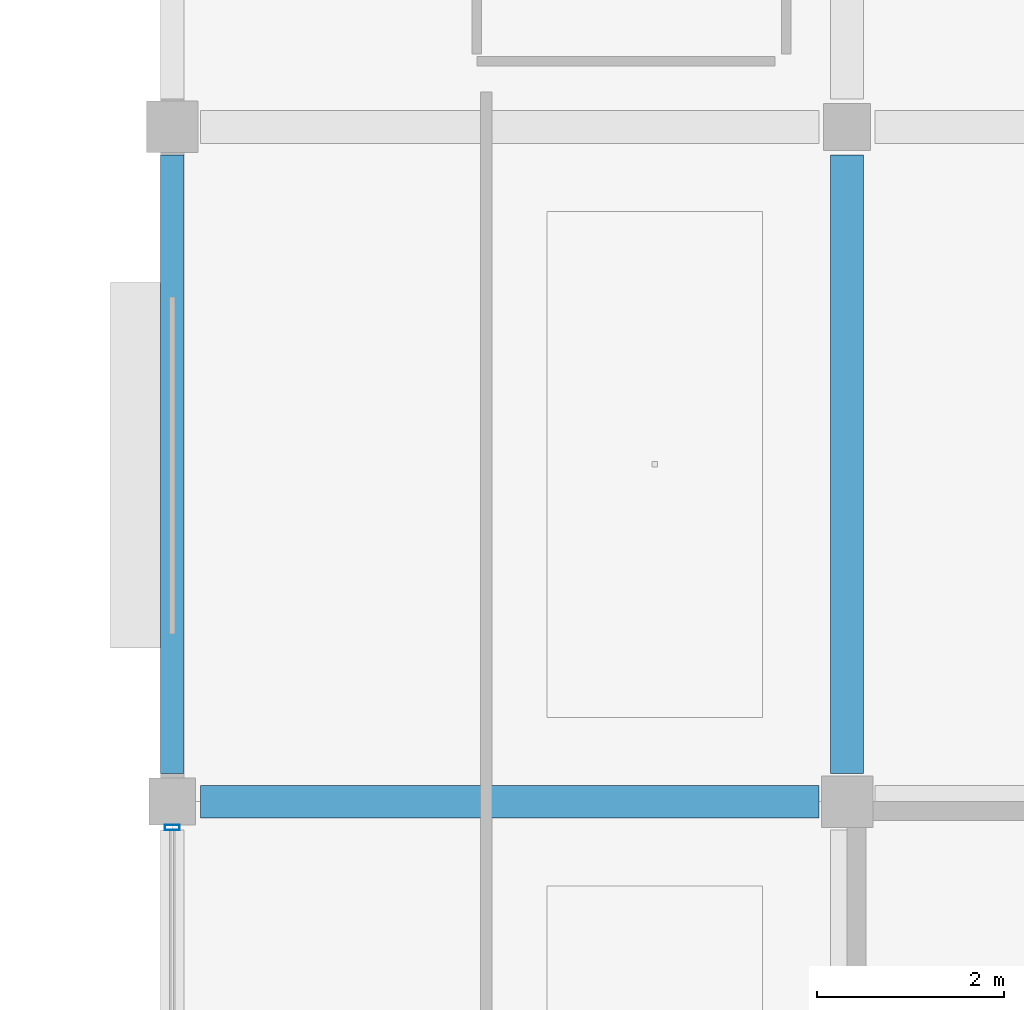
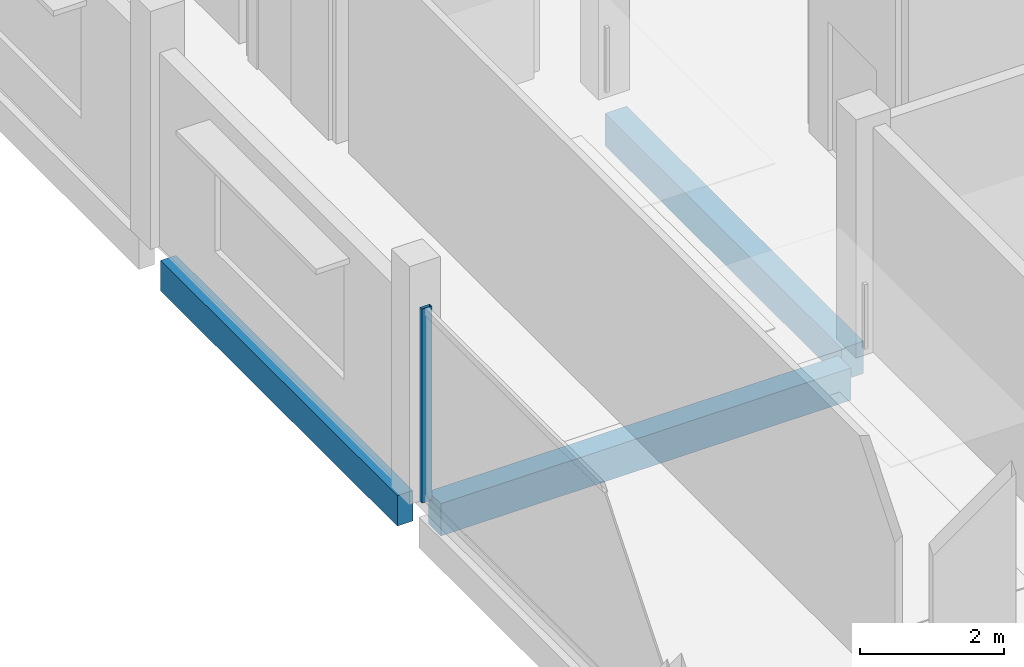
# One storey, part 8 of 26: 3 beams, 1 member, 1 element without a shape of its own.
"""IFC4 building model written with IfcOpenShell, lengths in metres."""

from ifc_helpers import new_model, si_unit, direction, frame, origin, origin_2d, place, context, subcontext, project, spatial, rectangle, hollow_rectangle, extrude, material, layer, layer_set, material_profile, profile_set, type_object, element, aggregate, save


model = new_model("IFC4")

# Units and contexts
model_context = context("Model", 3, precision=1e-05, world=origin(), true_north=direction((0.0, 1.0)))
body_context = subcontext(model_context, "Body", "Model", "MODEL_VIEW")
ifc_project = project(units=[si_unit("LENGTHUNIT", "METRE"), si_unit("AREAUNIT", "SQUARE_METRE"), si_unit("VOLUMEUNIT", "CUBIC_METRE"), si_unit("PLANEANGLEUNIT", "RADIAN"), si_unit("MASSUNIT", "GRAM", prefix="KILO")], contexts=[model_context])

# Site, building, storey
site_placement = place(None, origin())
site = spatial("IfcSite", under=ifc_project, at=site_placement, CompositionType="ELEMENT")
building_placement = place(site_placement, origin())
building = spatial("IfcBuilding", under=site, at=building_placement, Name="Kangsadwip Square Police Headquarters", CompositionType="ELEMENT")
storey_placement = place(building_placement, frame((0.0, 0.0, 25.64990234375)))
storey = spatial("IfcBuildingStorey", under=building, at=storey_placement, Name="L06", CompositionType="ELEMENT", Elevation=25.64990234375)

# Curtain wall, member
ifc_material_1 = material(Name="Thermally broken anodised aluminium AW-6063-T6", Category="aluminium")
ifc_layer = layer(ifc_material_1, 0.159912109375)
ifc_layer_set = layer_set([ifc_layer], Name="Thermally broken anodised aluminium AW-6063-T6")
curtain_wall_type = type_object("IfcCurtainWallType", Name="CourtScreen6685x3300", PredefinedType="USERDEFINED", material=ifc_layer_set)
curtain_wall_placement = place(storey_placement, origin())
curtain_wall = element("IfcCurtainWall", 1, at=curtain_wall_placement, inside=storey, type_object=curtain_wall_type, Name="Curtain Wall CW-L06-1440-0579", ObjectType="GLAZED_SCREEN", PredefinedType="USERDEFINED")
ifc_material_2 = material(Name="Thermally broken anodised aluminium AW-6063-T6", Category="aluminium")
ifc_material_profile_1 = material_profile(ifc_material_2, hollow_rectangle(XDim=0.06005859375, YDim=0.159912109375, WallThickness=0.00390625, at=origin_2d()), Name="CWM 160X60X4")
ifc_profile_set_1 = profile_set([ifc_material_profile_1], Name="Thermally broken anodised aluminium AW-6063-T6")
member_type = type_object("IfcMemberType", Name="CwMullion135x60", PredefinedType="MULLION", material=ifc_profile_set_1)
member_placement = place(storey_placement, frame((144.0, 64.52490234375, 0.0), z_axis=(0.0, 0.0, 1.0), x_axis=(0.0, 1.0, 0.0)))
member = element("IfcMember", 2, at=member_placement, type_object=member_type, Name="CW-53 mullion 2", PredefinedType="MULLION", context=body_context, shape_type="SweptSolid", body=[
    extrude(hollow_rectangle(XDim=0.06005859375, YDim=0.159912109375, WallThickness=0.00390625, at=origin_2d()), origin(), (0.0, 0.0, 1.0), 3.300048828125),
])
aggregate(curtain_wall, [member])

# Beams
ifc_material_3 = material(Name="Concrete M35 (35 MPa)", Category="concrete")
ifc_material_profile_2 = material_profile(ifc_material_3, rectangle(XDim=0.35009765625, YDim=0.550048828125, at=origin_2d()), Name="RC BM 550X350")
ifc_profile_set_2 = profile_set([ifc_material_profile_2], Name="Concrete M35 (35 MPa)")
beam_type_1 = type_object("IfcBeamType", Name="RcBeam550x350", PredefinedType="BEAM", material=ifc_profile_set_2)
for number, where, z_axis, x_axis, name in (
    (3, (144.300048828125, 64.800048828125, -0.494873046875), (1.0, 0.0, 0.0), (0.0, 1.0, 0.0), "Beam BM-L06-X-20-09"),
    (4, (151.199951171875, 65.10009765625, -0.494873046875), (0.0, 1.0, 0.0), (-1.0, 0.0, 0.0), "Beam BM-L06-Y-21-09"),
):
    element("IfcBeam", number, at=place(storey_placement, frame(where, z_axis=z_axis, x_axis=x_axis)), inside=storey, type_object=beam_type_1, Name=name, PredefinedType="BEAM", context=body_context, shape_type="SweptSolid", body=[
        extrude(rectangle(XDim=0.35009765625, YDim=0.550048828125, at=origin_2d()), origin(), (0.0, 0.0, 1.0), 6.599853515625),
    ])
ifc_material_4 = material(Name="Concrete M35 (35 MPa)", Category="concrete")
ifc_material_profile_3 = material_profile(ifc_material_4, rectangle(XDim=0.25, YDim=0.52001953125, at=origin_2d()), Name="RC SPN 520X250")
ifc_profile_set_3 = profile_set([ifc_material_profile_3], Name="Concrete M35 (35 MPa)")
beam_type_2 = type_object("IfcBeamType", Name="RcSpandrel520x250", PredefinedType="SPANDREL", material=ifc_profile_set_3)
beam_placement = place(storey_placement, frame((144.0, 65.10009765625, -0.47998046875), z_axis=(0.0, 1.0, 0.0), x_axis=(-1.0, 0.0, 0.0)))
element("IfcBeam", 5, at=beam_placement, inside=storey, type_object=beam_type_2, Name="Beam BM-L06-Y-20-09", PredefinedType="SPANDREL", context=body_context, shape_type="SweptSolid", body=[
    extrude(rectangle(XDim=0.25, YDim=0.52001953125, at=origin_2d()), origin(), (0.0, 0.0, 1.0), 6.599853515625),
])

save(model, "model.ifc")
